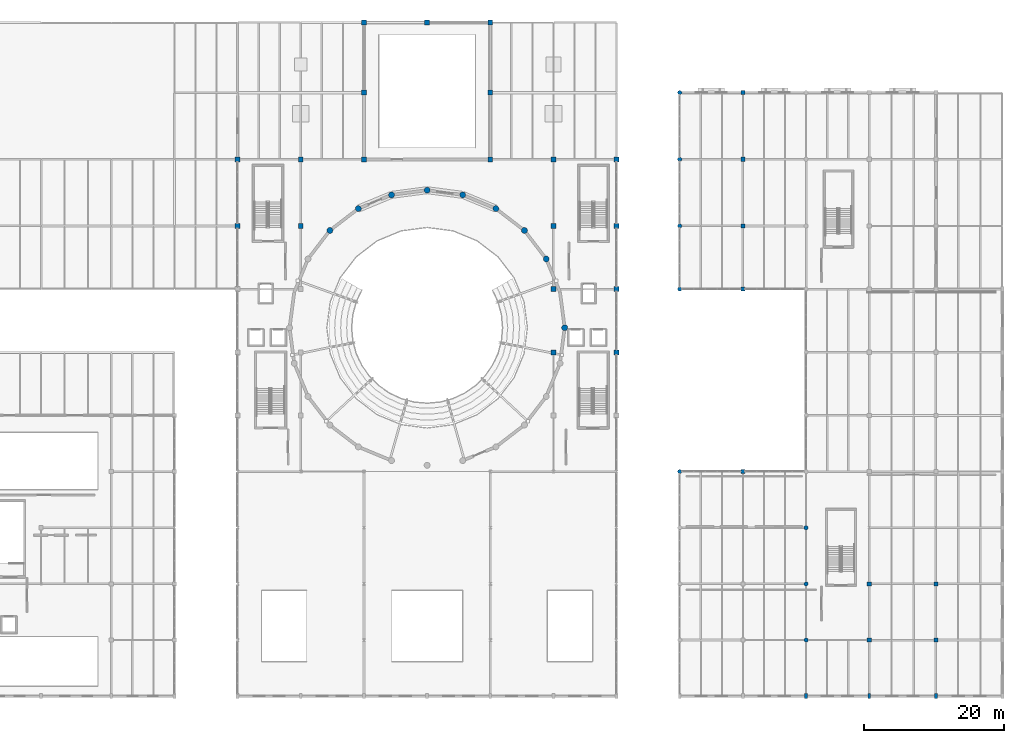
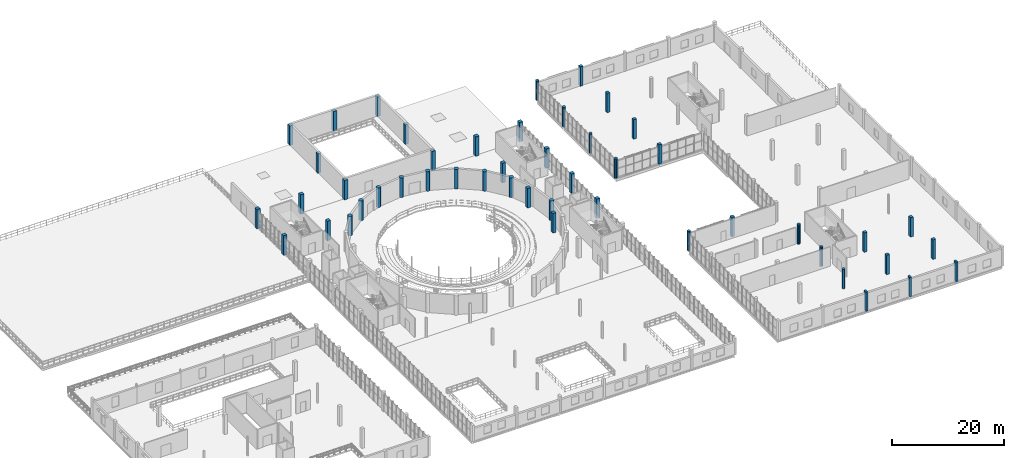
# One storey, part 11 of 73: 48 columns.
"""IFC4 building model written with IfcOpenShell, lengths in metres."""

from ifc_helpers import new_model, si_unit, direction, frame, origin, origin_2d, place, context, subcontext, project, spatial, rectangle, circle, extrude, material, material_profile, profile_set, type_object, element, save


model = new_model("IFC4")

# Units and contexts
model_context = context("Model", 3, precision=1e-05, world=origin(), true_north=direction((0.0, 1.0)))
body_context = subcontext(model_context, "Body", "Model", "MODEL_VIEW")
ifc_project = project(units=[si_unit("LENGTHUNIT", "METRE"), si_unit("AREAUNIT", "SQUARE_METRE"), si_unit("VOLUMEUNIT", "CUBIC_METRE"), si_unit("PLANEANGLEUNIT", "RADIAN"), si_unit("MASSUNIT", "GRAM", prefix="KILO")], contexts=[model_context])

# Site, building, storey
site_placement = place(None, origin())
site = spatial("IfcSite", under=ifc_project, at=site_placement, CompositionType="ELEMENT")
building_placement = place(site_placement, origin())
building = spatial("IfcBuilding", under=site, at=building_placement, Name="Marnock Terrace Opera House", CompositionType="ELEMENT")
storey_placement = place(building_placement, frame((0.0, 0.0, 14.699951171875)))
storey = spatial("IfcBuildingStorey", under=building, at=storey_placement, Name="L03", CompositionType="ELEMENT", Elevation=14.699951171875)

# Columns
ifc_material_1 = material(Name="Concrete N50 (f'c = 50 MPa)", Category="concrete")
ifc_material_profile_1 = material_profile(ifc_material_1, circle(Radius=0.425048828125, at=origin_2d()))
ifc_profile_set_1 = profile_set([ifc_material_profile_1], Name="Concrete N50 (f'c = 50 MPa)")
column_type_1 = type_object("IfcColumnType", Name="COL-DRUM-850", PredefinedType="COLUMN", material=ifc_profile_set_1)
for number, where, z_axis, x_axis, name in (
    (1, (101.60009765625, 60.5, 0.0), (0.0, 0.0, 1.0), (1.0, 0.0, 0.0), "L03 auditorium drum pier 1"),
    (2, (98.97412109375, 70.300048828125, 0.0), (0.0, 0.0, 1.0), (1.0, 0.0, 0.0), "L03 auditorium drum pier 3"),
    (3, (95.85888671875, 74.35888671875, 0.0), (0.0, 0.0, 1.0), (1.0, 0.0, 0.0), "L03 auditorium drum pier 4"),
    (4, (91.800048828125, 77.47412109375, 0.0), (0.0, 0.0, 1.0), (1.0, 0.0, 0.0), "L03 auditorium drum pier 5"),
    (5, (87.072998046875, 79.431884765625, 0.0), (0.0, 0.0, 1.0), (1.0, 0.0, 0.0), "L03 auditorium drum pier 6"),
    (6, (82.0, 80.10009765625, 0.0), (0.0, 0.0, 1.0), (1.0, 0.0, 0.0), "L03 auditorium drum pier 7"),
    (7, (76.927001953125, 79.431884765625, 0.0), (0.0, 0.0, 1.0), (1.0, 0.0, 0.0), "L03 auditorium drum pier 8"),
    (8, (72.199951171875, 77.47412109375, 0.0), (0.0, 0.0, 1.0), (1.0, 0.0, 0.0), "L03 auditorium drum pier 9"),
    (9, (68.14111328125, 74.35888671875, 0.0), (0.0, 0.0, 1.0), (1.0, 0.0, 0.0), "L03 auditorium drum pier 10"),
):
    element("IfcColumn", number, at=place(storey_placement, frame(where, z_axis=z_axis, x_axis=x_axis)), inside=storey, type_object=column_type_1, Name=name, PredefinedType="COLUMN", context=body_context, shape_type="SweptSolid", body=[
        extrude(circle(Radius=0.425048828125, at=origin_2d()), origin(), (0.0, 0.0, 1.0), 4.25),
    ])
ifc_material_2 = material(Name="Concrete N40 (f'c = 40 MPa)", Category="concrete")
ifc_material_profile_2 = material_profile(ifc_material_2, circle(Radius=0.300048828125, at=origin_2d()))
ifc_profile_set_2 = profile_set([ifc_material_profile_2], Name="Concrete N40 (f'c = 40 MPa)")
column_type_2 = type_object("IfcColumnType", Name="COL-LOGGIA-600", PredefinedType="COLUMN", material=ifc_profile_set_2)
for number, where, z_axis, x_axis, name in (
    (10, (118.0, 40.0, 0.0), (0.0, 0.0, 1.0), (1.0, 0.0, 0.0), "L03 column at (118.0, 40.0)"),
    (11, (118.0, 66.0, 0.0), (0.0, 0.0, 1.0), (1.0, 0.0, 0.0), "L03 column at (118.0, 66.0)"),
    (12, (118.0, 75.0, 0.0), (0.0, 0.0, 1.0), (1.0, 0.0, 0.0), "L03 column at (118.0, 75.0)"),
    (13, (118.0, 84.5, 0.0), (0.0, 0.0, 1.0), (1.0, 0.0, 0.0), "L03 column at (118.0, 84.5)"),
    (14, (118.0, 94.0, 0.0), (0.0, 0.0, 1.0), (1.0, 0.0, 0.0), "L03 column at (118.0, 94.0)"),
    (15, (136.0, 16.0, 0.0), (0.0, 0.0, 1.0), (1.0, 0.0, 0.0), "L03 column at (136.0, 16.0)"),
    (16, (136.0, 24.0, 0.0), (0.0, 0.0, 1.0), (1.0, 0.0, 0.0), "L03 column at (136.0, 24.0)"),
    (17, (136.0, 32.0, 0.0), (0.0, 0.0, 1.0), (1.0, 0.0, 0.0), "L03 column at (136.0, 32.0)"),
):
    element("IfcColumn", number, at=place(storey_placement, frame(where, z_axis=z_axis, x_axis=x_axis)), inside=storey, type_object=column_type_2, Name=name, PredefinedType="COLUMN", context=body_context, shape_type="SweptSolid", body=[
        extrude(circle(Radius=0.300048828125, at=origin_2d()), origin(), (0.0, 0.0, 1.0), 4.25),
    ])
ifc_material_profile_3 = material_profile(ifc_material_2, rectangle(XDim=0.39990234375, YDim=0.699951171875, at=origin_2d()))
ifc_profile_set_3 = profile_set([ifc_material_profile_3], Name="Concrete N40 (f'c = 40 MPa)")
column_type_3 = type_object("IfcColumnType", Name="COL-PIL-700", PredefinedType="PILASTER", material=ifc_profile_set_3)
for number, where, z_axis, x_axis, name in (
    (18, (136.0, 8.0, 0.0), (0.0, 0.0, 1.0), (1.0, 0.0, 0.0), "L03 column at (136.0, 8.0)"),
    (19, (145.0, 8.0, 0.0), (0.0, 0.0, 1.0), (1.0, 0.0, 0.0), "L03 column at (145.0, 8.0)"),
    (20, (154.5, 8.0, 0.0), (0.0, 0.0, 1.0), (1.0, 0.0, 0.0), "L03 column at (154.5, 8.0)"),
):
    element("IfcColumn", number, at=place(storey_placement, frame(where, z_axis=z_axis, x_axis=x_axis)), inside=storey, type_object=column_type_3, Name=name, PredefinedType="PILASTER", context=body_context, shape_type="SweptSolid", body=[
        extrude(rectangle(XDim=0.39990234375, YDim=0.699951171875, at=origin_2d()), origin(), (0.0, 0.0, 1.0), 4.25),
    ])
ifc_material_profile_4 = material_profile(ifc_material_2, rectangle(XDim=0.60009765625, YDim=0.60009765625, at=origin_2d()))
ifc_profile_set_4 = profile_set([ifc_material_profile_4], Name="Concrete N40 (f'c = 40 MPa)")
column_type_4 = type_object("IfcColumnType", Name="COL-RC600", PredefinedType="COLUMN", material=ifc_profile_set_4)
for number, where, z_axis, x_axis, name in (
    (21, (127.0, 40.0, 0.0), (0.0, 0.0, 1.0), (1.0, 0.0, 0.0), "L03 column at (127.0, 40.0)"),
    (22, (127.0, 66.0, 0.0), (0.0, 0.0, 1.0), (1.0, 0.0, 0.0), "L03 column at (127.0, 66.0)"),
    (23, (127.0, 75.0, 0.0), (0.0, 0.0, 1.0), (1.0, 0.0, 0.0), "L03 column at (127.0, 75.0)"),
    (24, (127.0, 84.5, 0.0), (0.0, 0.0, 1.0), (1.0, 0.0, 0.0), "L03 column at (127.0, 84.5)"),
    (25, (127.0, 94.0, 0.0), (0.0, 0.0, 1.0), (1.0, 0.0, 0.0), "L03 column at (127.0, 94.0)"),
    (26, (145.0, 16.0, 0.0), (0.0, 0.0, 1.0), (1.0, 0.0, 0.0), "L03 column at (145.0, 16.0)"),
    (27, (145.0, 24.0, 0.0), (0.0, 0.0, 1.0), (1.0, 0.0, 0.0), "L03 column at (145.0, 24.0)"),
    (28, (154.5, 16.0, 0.0), (0.0, 0.0, 1.0), (1.0, 0.0, 0.0), "L03 column at (154.5, 16.0)"),
    (29, (154.5, 24.0, 0.0), (0.0, 0.0, 1.0), (1.0, 0.0, 0.0), "L03 column at (154.5, 24.0)"),
):
    element("IfcColumn", number, at=place(storey_placement, frame(where, z_axis=z_axis, x_axis=x_axis)), inside=storey, type_object=column_type_4, Name=name, PredefinedType="COLUMN", context=body_context, shape_type="SweptSolid", body=[
        extrude(rectangle(XDim=0.60009765625, YDim=0.60009765625, at=origin_2d()), origin(), (0.0, 0.0, 1.0), 4.25),
    ])
ifc_material_profile_5 = material_profile(ifc_material_2, rectangle(XDim=0.699951171875, YDim=0.699951171875, at=origin_2d()))
ifc_profile_set_5 = profile_set([ifc_material_profile_5], Name="Concrete N40 (f'c = 40 MPa)")
column_type_5 = type_object("IfcColumnType", Name="COL-RC700", PredefinedType="COLUMN", material=ifc_profile_set_5)
for number, where, z_axis, x_axis, name in (
    (30, (55.0, 75.0, 0.0), (0.0, 0.0, 1.0), (1.0, 0.0, 0.0), "L03 column at (55.0, 75.0)"),
    (31, (55.0, 84.5, 0.0), (0.0, 0.0, 1.0), (1.0, 0.0, 0.0), "L03 column at (55.0, 84.5)"),
    (32, (64.0, 75.0, 0.0), (0.0, 0.0, 1.0), (1.0, 0.0, 0.0), "L03 column at (64.0, 75.0)"),
    (33, (64.0, 84.5, 0.0), (0.0, 0.0, 1.0), (1.0, 0.0, 0.0), "L03 column at (64.0, 84.5)"),
    (34, (73.0, 84.5, 0.0), (0.0, 0.0, 1.0), (1.0, 0.0, 0.0), "L03 column at (73.0, 84.5)"),
    (35, (73.0, 94.0, 0.0), (0.0, 0.0, 1.0), (1.0, 0.0, 0.0), "L03 column at (73.0, 94.0)"),
    (36, (73.0, 104.0, 0.0), (0.0, 0.0, 1.0), (1.0, 0.0, 0.0), "L03 column at (73.0, 104.0)"),
    (37, (82.0, 104.0, 0.0), (0.0, 0.0, 1.0), (1.0, 0.0, 0.0), "L03 column at (82.0, 104.0)"),
    (38, (91.0, 84.5, 0.0), (0.0, 0.0, 1.0), (1.0, 0.0, 0.0), "L03 column at (91.0, 84.5)"),
    (39, (91.0, 94.0, 0.0), (0.0, 0.0, 1.0), (1.0, 0.0, 0.0), "L03 column at (91.0, 94.0)"),
    (40, (91.0, 104.0, 0.0), (0.0, 0.0, 1.0), (1.0, 0.0, 0.0), "L03 column at (91.0, 104.0)"),
    (41, (100.0, 57.0, 0.0), (0.0, 0.0, 1.0), (1.0, 0.0, 0.0), "L03 column at (100.0, 57.0)"),
    (42, (100.0, 66.0, 0.0), (0.0, 0.0, 1.0), (1.0, 0.0, 0.0), "L03 column at (100.0, 66.0)"),
    (43, (100.0, 75.0, 0.0), (0.0, 0.0, 1.0), (1.0, 0.0, 0.0), "L03 column at (100.0, 75.0)"),
    (44, (100.0, 84.5, 0.0), (0.0, 0.0, 1.0), (1.0, 0.0, 0.0), "L03 column at (100.0, 84.5)"),
    (45, (109.0, 57.0, 0.0), (0.0, 0.0, 1.0), (1.0, 0.0, 0.0), "L03 column at (109.0, 57.0)"),
    (46, (109.0, 66.0, 0.0), (0.0, 0.0, 1.0), (1.0, 0.0, 0.0), "L03 column at (109.0, 66.0)"),
    (47, (109.0, 75.0, 0.0), (0.0, 0.0, 1.0), (1.0, 0.0, 0.0), "L03 column at (109.0, 75.0)"),
    (48, (109.0, 84.5, 0.0), (0.0, 0.0, 1.0), (1.0, 0.0, 0.0), "L03 column at (109.0, 84.5)"),
):
    element("IfcColumn", number, at=place(storey_placement, frame(where, z_axis=z_axis, x_axis=x_axis)), inside=storey, type_object=column_type_5, Name=name, PredefinedType="COLUMN", context=body_context, shape_type="SweptSolid", body=[
        extrude(rectangle(XDim=0.699951171875, YDim=0.699951171875, at=origin_2d()), origin(), (0.0, 0.0, 1.0), 4.25),
    ])

save(model, "model.ifc")
